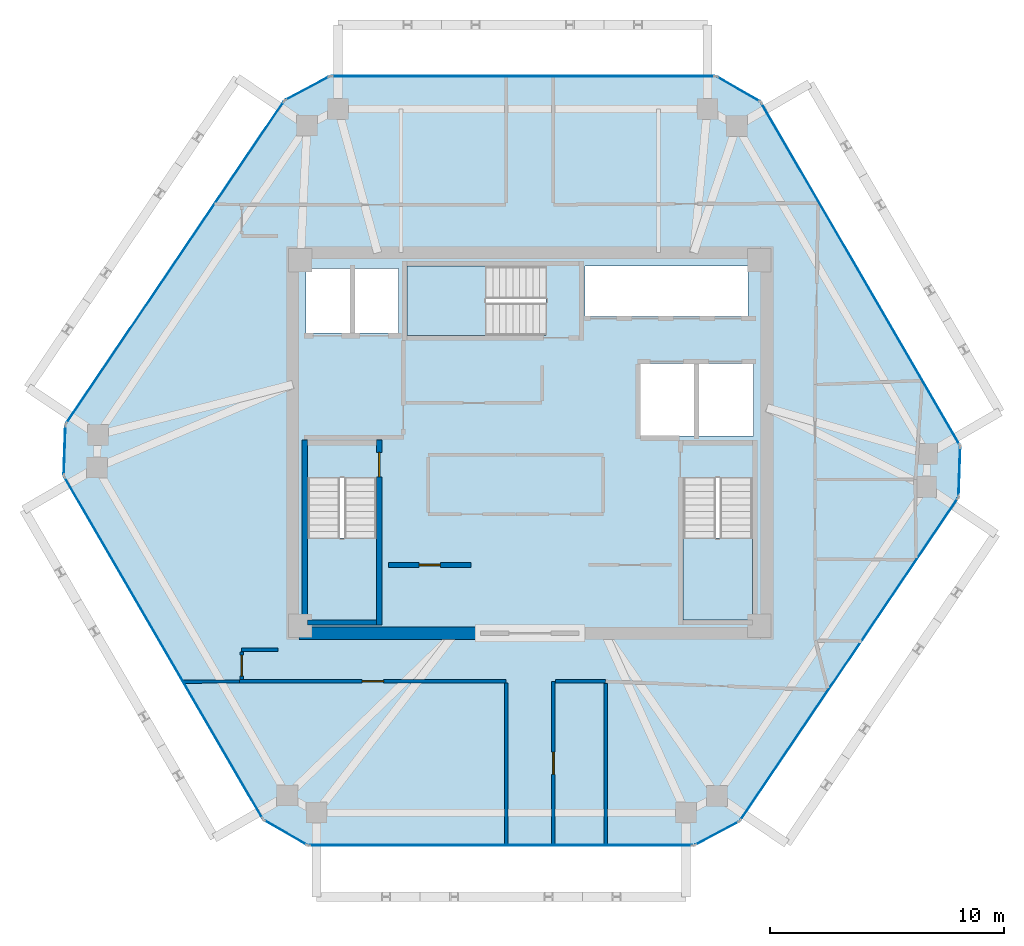
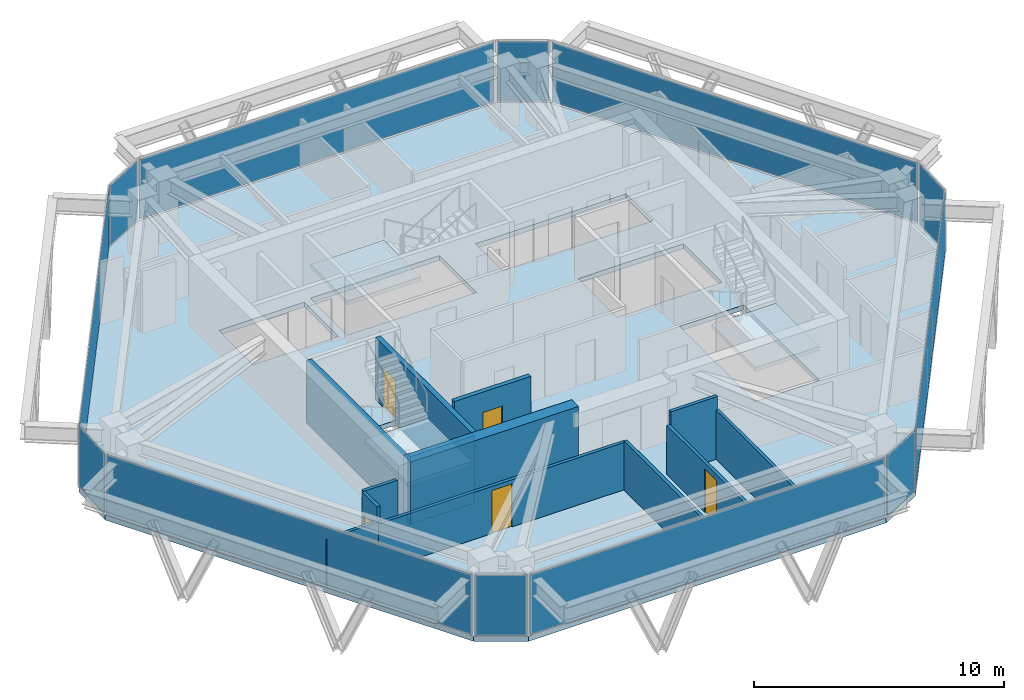
# One storey, part 7 of 11: 13 walls, 12 plates, 5 doors, 4 slabs, 5 openings, 15 elements without a shape of their own.
"""IFC4 building model written with IfcOpenShell, lengths in metres."""

from ifc_helpers import new_model, si_unit, direction, frame, frame_2d, origin, origin_2d, place, context, subcontext, project, spatial, polyline, rectangle, outline, extrude, source, transform, mapped, material, layer, layer_set, type_object, type_shapes, element, fill, aggregate, save


model = new_model("IFC4")

# Units and contexts
model_context = context("Model", 3, precision=1e-05, world=origin(), true_north=direction((0.0, 1.0)))
body_context = subcontext(model_context, "Body", "Model", "MODEL_VIEW")
ifc_project = project(units=[si_unit("LENGTHUNIT", "METRE"), si_unit("AREAUNIT", "SQUARE_METRE"), si_unit("VOLUMEUNIT", "CUBIC_METRE"), si_unit("PLANEANGLEUNIT", "RADIAN"), si_unit("MASSUNIT", "GRAM", prefix="KILO")], contexts=[model_context])

# Site, building, storey
site_placement = place(None, origin())
site = spatial("IfcSite", under=ifc_project, at=site_placement, CompositionType="ELEMENT")
building_placement = place(site_placement, origin())
building = spatial("IfcBuilding", under=site, at=building_placement, Name="Durnholm Broadcast Tower", CompositionType="ELEMENT")
storey_placement = place(building_placement, frame((0.0, 0.0, 224.89990234375)))
storey = spatial("IfcBuildingStorey", under=building, at=storey_placement, Name="L62", CompositionType="ELEMENT", Elevation=224.89990234375)

# Slab
ifc_material_1 = material(Name="Concrete C50/60", Category="concrete")
ifc_layer_1 = layer(ifc_material_1, 0.239990234375)
ifc_layer_set_1 = layer_set([ifc_layer_1], Name="Concrete C50/60")
slab_type_1 = type_object("IfcSlabType", Name="SLAB-FLR-240", PredefinedType="FLOOR", material=ifc_layer_set_1)
slab_1_placement = place(storey_placement, frame((0.0, 0.0, -0.239990234375)))
element("IfcSlab", 1, at=slab_1_placement, inside=storey, type_object=slab_type_1, Name="L62 structural floor slab", PredefinedType="FLOOR", context=body_context, shape_type="SweptSolid", body=[
    extrude(outline(polyline([(-11.384521484375, -16.088134765625), (-9.47802734375, -17.18603515625), (7.012451171875, -17.18603515625), (8.955322265625, -16.154296875), (18.307861328125, -2.3203125), (18.38330078125, -0.12158203125), (9.8603515625, 14.564208984375), (7.9541015625, 15.662109375), (-8.536376953125, 15.662109375), (-10.4794921875, 14.630126953125), (-19.831787109375, 0.79638671875), (-19.9072265625, -1.40234375), (-11.384521484375, -16.088134765625)]), holes=[polyline([(-6.5400390625, -1.5), (-9.5, -1.5), (-9.5, -7.550048828125), (-6.5400390625, -7.550048828125), (-6.5400390625, -1.5)]), polyline([(9.5, -7.550048828125), (9.5, -1.5), (6.5400390625, -1.5), (6.5400390625, -7.550048828125), (9.5, -7.550048828125)]), polyline([(9.550048828125, 3.39990234375), (4.699951171875, 3.39990234375), (4.699951171875, 0.300048828125), (9.550048828125, 0.300048828125), (9.550048828125, 3.39990234375)]), polyline([(-9.550048828125, 7.449951171875), (-9.550048828125, 4.699951171875), (-5.60009765625, 4.699951171875), (-5.60009765625, 7.449951171875), (-9.550048828125, 7.449951171875)]), polyline([(-5.25, 4.60009765625), (0.699951171875, 4.60009765625), (0.699951171875, 7.56005859375), (-5.25, 7.56005859375), (-5.25, 4.60009765625)]), polyline([(9.31005859375, 7.550048828125), (2.35009765625, 7.550048828125), (2.35009765625, 5.39990234375), (9.31005859375, 5.39990234375), (9.31005859375, 7.550048828125)])]), origin(), (0.0, 0.0, 1.0), 0.239990234375),
])

# Stair, slab
stair_type = type_object("IfcStairType", Name="STAIR-DL-20R1650", PredefinedType="HALF_TURN_STAIR", material=ifc_material_1)
stair_1_placement = place(storey_placement, origin())
stair_1 = element("IfcStair", 2, at=stair_1_placement, inside=storey, type_object=stair_type, Name="L62 ST-1", PredefinedType="HALF_TURN_STAIR")
ifc_layer_2 = layer(ifc_material_1, 0.199951171875)
ifc_layer_set_2 = layer_set([ifc_layer_2], Name="Concrete C50/60")
slab_type_2 = type_object("IfcSlabType", Name="SLAB-LND-200", PredefinedType="LANDING", material=ifc_layer_set_2)
slab_2_placement = place(storey_placement, frame((0.0, 0.0, 1.4501953125)))
slab_2 = element("IfcSlab", 3, at=slab_2_placement, type_object=slab_type_2, Name="ST-1 landing 1", PredefinedType="LANDING", context=body_context, shape_type="SweptSolid", body=[
    extrude(outline(polyline([(-9.5, -4.06494140625), (-9.5, -7.550048828125), (-6.5400390625, -7.550048828125), (-6.5400390625, -4.06494140625), (-9.5, -4.06494140625)])), origin(), (0.0, 0.0, 1.0), 0.199951171875),
])
aggregate(stair_1, [slab_2])

stair_2_placement = place(storey_placement, origin())
stair_2 = element("IfcStair", 4, at=stair_2_placement, inside=storey, type_object=stair_type, Name="L62 ST-2", PredefinedType="HALF_TURN_STAIR")
slab_3_placement = place(storey_placement, frame((0.0, 0.0, 1.4501953125)))
slab_3 = element("IfcSlab", 5, at=slab_3_placement, type_object=slab_type_2, Name="ST-2 landing 1", PredefinedType="LANDING", context=body_context, shape_type="SweptSolid", body=[
    extrude(outline(polyline([(6.5400390625, -4.06494140625), (6.5400390625, -7.550048828125), (9.5, -7.550048828125), (9.5, -4.06494140625), (6.5400390625, -4.06494140625)])), origin(), (0.0, 0.0, 1.0), 0.199951171875),
])
aggregate(stair_2, [slab_3])

stair_3_placement = place(storey_placement, origin())
stair_3 = element("IfcStair", 6, at=stair_3_placement, inside=storey, type_object=stair_type, Name="L62 ST-3", PredefinedType="HALF_TURN_STAIR")
slab_4_placement = place(storey_placement, frame((0.0, 0.0, 1.4501953125)))
slab_4 = element("IfcSlab", 7, at=slab_4_placement, type_object=slab_type_2, Name="ST-3 landing 1", PredefinedType="LANDING", context=body_context, shape_type="SweptSolid", body=[
    extrude(outline(polyline([(-1.864990234375, 7.56005859375), (-5.25, 7.56005859375), (-5.25, 4.60009765625), (-1.864990234375, 4.60009765625), (-1.864990234375, 7.56005859375)])), origin(), (0.0, 0.0, 1.0), 0.199951171875),
])
aggregate(stair_3, [slab_4])

# Curtain wall, plate
ifc_material_2 = material(Name="Aluminium and Solar Control IGU", Category="aluminium")
ifc_layer_3 = layer(ifc_material_2, 0.1650390625)
ifc_layer_set_3 = layer_set([ifc_layer_3], Name="Aluminium and Solar Control IGU")
curtain_wall_type_1 = type_object("IfcCurtainWallType", Name="CW-SYS-5", PredefinedType="NOTDEFINED", material=ifc_layer_set_3)
curtain_wall_1_placement = place(storey_placement, origin())
curtain_wall_1 = element("IfcCurtainWall", 8, at=curtain_wall_1_placement, inside=storey, type_object=curtain_wall_type_1, Name="L62 curtain wall CW-CORNER CW-L62-CRN-01", PredefinedType="NOTDEFINED")
ifc_material_3 = material(Name="Low-E Laminated Insulating Glass", Category="glass")
ifc_layer_4 = layer(ifc_material_3, 0.030029296875)
ifc_layer_set_4 = layer_set([ifc_layer_4], Name="Low-E Laminated Insulating Glass")
plate_type_1 = type_object("IfcPlateType", Name="CW-SYS-5-PNL", PredefinedType="CURTAIN_PANEL", material=ifc_layer_set_4)
shared_shape_1 = source(origin(), body_context, "Body", "SweptSolid", [
    extrude(rectangle(XDim=2.070068359375, YDim=0.030029296875, at=origin_2d()), origin(), (0.0, 0.0, 1.0), 2.929931640625),
])
plate_1_placement = place(storey_placement, frame((-19.86962890625, -0.302978515625, 0.06494140625), z_axis=(0.0, 0.0, 1.0), x_axis=(0.034318245849, 0.999410955514, 0.0)))
plate_1 = element("IfcPlate", 9, at=plate_1_placement, type_object=plate_type_1, Name="CW-CORNER panel 1.1", PredefinedType="CURTAIN_PANEL", context=body_context, shape_type="MappedRepresentation", body=[
    mapped(shared_shape_1, transform((0.0, 0.0, 0.0), x_axis=(1.0, 0.0, 0.0), y_axis=(0.0, 1.0, 0.0), z_axis=(0.0, 0.0, 1.0), scale=1.0)),
])
aggregate(curtain_wall_1, [plate_1])

curtain_wall_2_placement = place(storey_placement, origin())
curtain_wall_2 = element("IfcCurtainWall", 10, at=curtain_wall_2_placement, inside=storey, type_object=curtain_wall_type_1, Name="L62 curtain wall CW-CORNER CW-L62-CRN-03", PredefinedType="NOTDEFINED")
plate_2_placement = place(storey_placement, frame((-9.5078125, 15.14599609375, 0.06494140625), z_axis=(0.0, 0.0, 1.0), x_axis=(0.883194569853, 0.469006771575, 0.0)))
plate_2 = element("IfcPlate", 11, at=plate_2_placement, type_object=plate_type_1, Name="CW-CORNER panel 1.1", PredefinedType="CURTAIN_PANEL", context=body_context, shape_type="MappedRepresentation", body=[
    mapped(shared_shape_1, transform((0.0, 0.0, 0.0), x_axis=(1.0, 0.0, 0.0), y_axis=(0.0, 1.0, 0.0), z_axis=(0.0, 0.0, 1.0), scale=1.0)),
])
aggregate(curtain_wall_2, [plate_2])

curtain_wall_3_placement = place(storey_placement, origin())
curtain_wall_3 = element("IfcCurtainWall", 12, at=curtain_wall_3_placement, inside=storey, type_object=curtain_wall_type_1, Name="L62 curtain wall CW-CORNER CW-L62-CRN-07", PredefinedType="NOTDEFINED")
plate_3_placement = place(storey_placement, frame((18.345458984375, -1.220947265625, 0.06494140625), z_axis=(0.0, 0.0, 1.0), x_axis=(-0.034318245849, -0.999410955514, 0.0)))
plate_3 = element("IfcPlate", 13, at=plate_3_placement, type_object=plate_type_1, Name="CW-CORNER panel 1.1", PredefinedType="CURTAIN_PANEL", context=body_context, shape_type="MappedRepresentation", body=[
    mapped(shared_shape_1, transform((0.0, 0.0, 0.0), x_axis=(1.0, 0.0, 0.0), y_axis=(0.0, 1.0, 0.0), z_axis=(0.0, 0.0, 1.0), scale=1.0)),
])
aggregate(curtain_wall_3, [plate_3])

curtain_wall_4_placement = place(storey_placement, origin())
curtain_wall_4 = element("IfcCurtainWall", 14, at=curtain_wall_4_placement, inside=storey, type_object=curtain_wall_type_1, Name="L62 curtain wall CW-CORNER CW-L62-CRN-09", PredefinedType="NOTDEFINED")
plate_4_placement = place(storey_placement, frame((7.98388671875, -16.670166015625, 0.06494140625), z_axis=(0.0, 0.0, 1.0), x_axis=(-0.883194569853, -0.469006771575, 0.0)))
plate_4 = element("IfcPlate", 15, at=plate_4_placement, type_object=plate_type_1, Name="CW-CORNER panel 1.1", PredefinedType="CURTAIN_PANEL", context=body_context, shape_type="MappedRepresentation", body=[
    mapped(shared_shape_1, transform((0.0, 0.0, 0.0), x_axis=(1.0, 0.0, 0.0), y_axis=(0.0, 1.0, 0.0), z_axis=(0.0, 0.0, 1.0), scale=1.0)),
])
aggregate(curtain_wall_4, [plate_4])

ifc_layer_5 = layer(ifc_material_2, 0.18994140625)
ifc_layer_set_5 = layer_set([ifc_layer_5], Name="Aluminium and Solar Control IGU")
curtain_wall_type_2 = type_object("IfcCurtainWallType", Name="CW-SYS-4", PredefinedType="NOTDEFINED", material=ifc_layer_set_5)
curtain_wall_5_placement = place(storey_placement, origin())
curtain_wall_5 = element("IfcCurtainWall", 16, at=curtain_wall_5_placement, inside=storey, type_object=curtain_wall_type_2, Name="L62 curtain wall CW-Z34-VIS CW-L62-F02", PredefinedType="NOTDEFINED")
ifc_layer_6 = layer(ifc_material_3, 0.033935546875)
ifc_layer_set_6 = layer_set([ifc_layer_6], Name="Low-E Laminated Insulating Glass")
plate_type_2 = type_object("IfcPlateType", Name="CW-SYS-4-PNL", PredefinedType="CURTAIN_PANEL", material=ifc_layer_set_6)
shared_shape_2 = source(origin(), body_context, "Body", "SweptSolid", [
    extrude(rectangle(XDim=16.55859375, YDim=0.033935546875, at=origin_2d()), origin(), (0.0, 0.0, 1.0), 2.919921875),
])
plate_5_placement = place(storey_placement, frame((-15.155517578125, 7.71337890625, 0.070068359375), z_axis=(0.0, 0.0, 1.0), x_axis=(0.560072745753, 0.828443431662, 0.0)))
plate_5 = element("IfcPlate", 17, at=plate_5_placement, type_object=plate_type_2, Name="CW-Z34-VIS panel 1.1", PredefinedType="CURTAIN_PANEL", context=body_context, shape_type="MappedRepresentation", body=[
    mapped(shared_shape_2, transform((0.0, 0.0, 0.0), x_axis=(1.0, 0.0, 0.0), y_axis=(0.0, 1.0, 0.0), z_axis=(0.0, 0.0, 1.0), scale=1.0)),
])
aggregate(curtain_wall_5, [plate_5])

curtain_wall_6_placement = place(storey_placement, origin())
curtain_wall_6 = element("IfcCurtainWall", 18, at=curtain_wall_6_placement, inside=storey, type_object=curtain_wall_type_2, Name="L62 curtain wall CW-Z34-VIS CW-L62-F08", PredefinedType="NOTDEFINED")
plate_6_placement = place(storey_placement, frame((13.631591796875, -9.2373046875, 0.070068359375), z_axis=(0.0, 0.0, 1.0), x_axis=(-0.560072745753, -0.828443431662, 0.0)))
plate_6 = element("IfcPlate", 19, at=plate_6_placement, type_object=plate_type_2, Name="CW-Z34-VIS panel 1.1", PredefinedType="CURTAIN_PANEL", context=body_context, shape_type="MappedRepresentation", body=[
    mapped(shared_shape_2, transform((0.0, 0.0, 0.0), x_axis=(1.0, 0.0, 0.0), y_axis=(0.0, 1.0, 0.0), z_axis=(0.0, 0.0, 1.0), scale=1.0)),
])
aggregate(curtain_wall_6, [plate_6])

curtain_wall_7_placement = place(storey_placement, origin())
curtain_wall_7 = element("IfcCurtainWall", 20, at=curtain_wall_7_placement, inside=storey, type_object=curtain_wall_type_2, Name="L62 curtain wall CW-Z34-VIS CW-L62-F04", PredefinedType="NOTDEFINED")
shared_shape_3 = source(origin(), body_context, "Body", "SweptSolid", [
    extrude(rectangle(XDim=16.350341796875, YDim=0.033935546875, at=origin_2d()), origin(), (0.0, 0.0, 1.0), 2.919921875),
])
plate_7_placement = place(storey_placement, frame((-0.291259765625, 15.662109375, 0.070068359375), z_axis=(0.0, 0.0, 1.0), x_axis=(1.0, 0.0, 0.0)))
plate_7 = element("IfcPlate", 21, at=plate_7_placement, type_object=plate_type_2, Name="CW-Z34-VIS panel 1.1", PredefinedType="CURTAIN_PANEL", context=body_context, shape_type="MappedRepresentation", body=[
    mapped(shared_shape_3, transform((0.0, 0.0, 0.0), x_axis=(1.0, 0.0, 0.0), y_axis=(0.0, 1.0, 0.0), z_axis=(0.0, 0.0, 1.0), scale=1.0)),
])
aggregate(curtain_wall_7, [plate_7])

curtain_wall_8_placement = place(storey_placement, origin())
curtain_wall_8 = element("IfcCurtainWall", 22, at=curtain_wall_8_placement, inside=storey, type_object=curtain_wall_type_2, Name="L62 curtain wall CW-Z34-VIS CW-L62-F10", PredefinedType="NOTDEFINED")
plate_8_placement = place(storey_placement, frame((-1.23291015625, -17.18603515625, 0.070068359375), z_axis=(0.0, 0.0, 1.0), x_axis=(-1.0, 0.0, 0.0)))
plate_8 = element("IfcPlate", 23, at=plate_8_placement, type_object=plate_type_2, Name="CW-Z34-VIS panel 1.1", PredefinedType="CURTAIN_PANEL", context=body_context, shape_type="MappedRepresentation", body=[
    mapped(shared_shape_3, transform((0.0, 0.0, 0.0), x_axis=(1.0, 0.0, 0.0), y_axis=(0.0, 1.0, 0.0), z_axis=(0.0, 0.0, 1.0), scale=1.0)),
])
aggregate(curtain_wall_8, [plate_8])

curtain_wall_9_placement = place(storey_placement, origin())
curtain_wall_9 = element("IfcCurtainWall", 24, at=curtain_wall_9_placement, inside=storey, type_object=curtain_wall_type_1, Name="L62 curtain wall CW-CORNER CW-L62-CRN-05", PredefinedType="NOTDEFINED")
shared_shape_4 = source(origin(), body_context, "Body", "SweptSolid", [
    extrude(rectangle(XDim=2.06982421875, YDim=0.030029296875, at=origin_2d()), origin(), (0.0, 0.0, 1.0), 2.929931640625),
])
type_shapes(plate_type_1, [shared_shape_1, shared_shape_4])
plate_9_placement = place(storey_placement, frame((8.9072265625, 15.113037109375, 0.06494140625), z_axis=(0.0, 0.0, 1.0), x_axis=(0.866568249707, -0.499058582333, 0.0)))
plate_9 = element("IfcPlate", 25, at=plate_9_placement, type_object=plate_type_1, Name="CW-CORNER panel 1.1", PredefinedType="CURTAIN_PANEL", context=body_context, shape_type="MappedRepresentation", body=[
    mapped(shared_shape_4, transform((0.0, 0.0, 0.0), x_axis=(1.0, 0.0, 0.0), y_axis=(0.0, 1.0, 0.0), z_axis=(0.0, 0.0, 1.0), scale=1.0)),
])
aggregate(curtain_wall_9, [plate_9])

curtain_wall_10_placement = place(storey_placement, origin())
curtain_wall_10 = element("IfcCurtainWall", 26, at=curtain_wall_10_placement, inside=storey, type_object=curtain_wall_type_1, Name="L62 curtain wall CW-CORNER CW-L62-CRN-11", PredefinedType="NOTDEFINED")
plate_10_placement = place(storey_placement, frame((-10.43115234375, -16.636962890625, 0.06494140625), z_axis=(0.0, 0.0, 1.0), x_axis=(-0.866568249707, 0.499058582333, 0.0)))
plate_10 = element("IfcPlate", 27, at=plate_10_placement, type_object=plate_type_1, Name="CW-CORNER panel 1.1", PredefinedType="CURTAIN_PANEL", context=body_context, shape_type="MappedRepresentation", body=[
    mapped(shared_shape_4, transform((0.0, 0.0, 0.0), x_axis=(1.0, 0.0, 0.0), y_axis=(0.0, 1.0, 0.0), z_axis=(0.0, 0.0, 1.0), scale=1.0)),
])
aggregate(curtain_wall_10, [plate_10])

curtain_wall_11_placement = place(storey_placement, origin())
curtain_wall_11 = element("IfcCurtainWall", 28, at=curtain_wall_11_placement, inside=storey, type_object=curtain_wall_type_2, Name="L62 curtain wall CW-Z34-VIS CW-L62-F06", PredefinedType="NOTDEFINED")
shared_shape_5 = source(origin(), body_context, "Body", "SweptSolid", [
    extrude(rectangle(XDim=16.83984375, YDim=0.033935546875, at=origin_2d()), origin(), (0.0, 0.0, 1.0), 2.919921875),
])
type_shapes(plate_type_2, [shared_shape_2, shared_shape_3, shared_shape_5])
plate_11_placement = place(storey_placement, frame((14.121826171875, 7.22119140625, 0.070068359375), z_axis=(0.0, 0.0, 1.0), x_axis=(0.50194441023, -0.864899883824, 0.0)))
plate_11 = element("IfcPlate", 29, at=plate_11_placement, type_object=plate_type_2, Name="CW-Z34-VIS panel 1.1", PredefinedType="CURTAIN_PANEL", context=body_context, shape_type="MappedRepresentation", body=[
    mapped(shared_shape_5, transform((0.0, 0.0, 0.0), x_axis=(1.0, 0.0, 0.0), y_axis=(0.0, 1.0, 0.0), z_axis=(0.0, 0.0, 1.0), scale=1.0)),
])
aggregate(curtain_wall_11, [plate_11])

curtain_wall_12_placement = place(storey_placement, origin())
curtain_wall_12 = element("IfcCurtainWall", 30, at=curtain_wall_12_placement, inside=storey, type_object=curtain_wall_type_2, Name="L62 curtain wall CW-Z34-VIS CW-L62-F12", PredefinedType="NOTDEFINED")
plate_12_placement = place(storey_placement, frame((-15.645751953125, -8.7451171875, 0.070068359375), z_axis=(0.0, 0.0, 1.0), x_axis=(-0.50194441023, 0.864899883824, 0.0)))
plate_12 = element("IfcPlate", 31, at=plate_12_placement, type_object=plate_type_2, Name="CW-Z34-VIS panel 1.1", PredefinedType="CURTAIN_PANEL", context=body_context, shape_type="MappedRepresentation", body=[
    mapped(shared_shape_5, transform((0.0, 0.0, 0.0), x_axis=(1.0, 0.0, 0.0), y_axis=(0.0, 1.0, 0.0), z_axis=(0.0, 0.0, 1.0), scale=1.0)),
])
aggregate(curtain_wall_12, [plate_12])

# Wall
ifc_material_4 = material(Name="Concrete C70/85", Category="concrete")
ifc_layer_7 = layer(ifc_material_4, 0.550048828125)
ifc_layer_set_7 = layer_set([ifc_layer_7], Name="Concrete C70/85")
wall_type_1 = type_object("IfcWallType", Name="WALL-CW-550", PredefinedType="SHEAR", material=ifc_layer_set_7)
wall_1_placement = place(storey_placement, frame((-9.85009765625, -8.125, 0.0), z_axis=(0.0, 0.0, 1.0), x_axis=(1.0, 0.0, 0.0)))
element("IfcWall", 32, at=wall_1_placement, inside=storey, type_object=wall_type_1, Name="L62 central core shear wall CW-S1", PredefinedType="SHEAR", context=body_context, shape_type="SweptSolid", body=[
    extrude(rectangle(XDim=7.75, YDim=0.550048828125, at=frame_2d((3.875, 0.0))), origin(), (0.0, 0.0, 1.0), 3.300048828125),
])

# Wall, opening, door
ifc_material_5 = material(Name="Fire-Rated Gypsum Shaftwall", Category="concrete")
ifc_layer_8 = layer(ifc_material_5, 0.199951171875)
ifc_layer_set_8 = layer_set([ifc_layer_8], Name="Fire-Rated Gypsum Shaftwall")
wall_type_2 = type_object("IfcWallType", Name="WALL-LOB-200", PredefinedType="SOLIDWALL", material=ifc_layer_set_8)
wall_2_placement = place(storey_placement, frame((-6.0400390625, -5.2099609375, 0.0), z_axis=(0.0, 0.0, 1.0), x_axis=(1.0, 0.0, 0.0)))
wall_2 = element("IfcWall", 33, at=wall_2_placement, inside=storey, type_object=wall_type_2, Name="L62 Broadcast Signal Rack Room corridor partition", PredefinedType="SOLIDWALL", context=body_context, shape_type="SweptSolid", body=[
    extrude(rectangle(XDim=3.530029296875, YDim=0.199951171875, at=frame_2d((1.76513671875, 0.0))), origin(), (0.0, 0.0, 1.0), 3.045166015625),
])
opening_1_placement = place(wall_2_placement, frame((1.31494140625, 0.0, 0.0)))
opening_1 = element("IfcOpeningElement", 34, at=opening_1_placement, cuts=wall_2, Name="Opening DC-60L", PredefinedType="OPENING", context=body_context, shape_type="SweptSolid", body=[
    extrude(rectangle(XDim=0.89990234375, YDim=2.050048828125, at=frame_2d((0.449951171875, 1.02490234375))), frame((0.0, 0.10986328125, 0.0), z_axis=(0.0, -1.0, 0.0), x_axis=(1.0, 0.0, 0.0)), (0.0, 0.0, 1.0), 0.219970703125),
])
ifc_material_6 = material(Name="Fire-Rated Core Service Door", Category="steel")
ifc_layer_9 = layer(ifc_material_6, 0.050048828125)
ifc_layer_set_9 = layer_set([ifc_layer_9], Name="Fire-Rated Core Service Door")
door_type_1 = type_object("IfcDoorType", Name="DOOR-CORE-FD60-L", OperationType="NOTDEFINED", PredefinedType="DOOR", material=ifc_layer_set_9)
shared_shape_6 = source(origin(), body_context, "Body", "SweptSolid", [
    extrude(rectangle(XDim=0.89990234375, YDim=2.050048828125, at=frame_2d((0.449951171875, 1.02490234375))), frame((0.0, 0.02490234375, 0.0), z_axis=(0.0, -1.0, 0.0), x_axis=(1.0, 0.0, 0.0)), (0.0, 0.0, 1.0), 0.050048828125),
])
type_shapes(door_type_1, [shared_shape_6])
door_1_placement = place(opening_1_placement, origin())
door_1 = element("IfcDoor", 35, at=door_1_placement, inside=storey, type_object=door_type_1, Name="L62 Broadcast Signal Rack Room entrance door", OperationType="SINGLE_SWING_LEFT", OverallHeight=2.050048828125, OverallWidth=0.89990234375, PredefinedType="DOOR", context=body_context, shape_type="MappedRepresentation", body=[
    mapped(shared_shape_6, transform((0.0, 0.0, 0.0), x_axis=(1.0, 0.0, 0.0), y_axis=(0.0, 1.0, 0.0), z_axis=(0.0, 0.0, 1.0), scale=1.0)),
])
fill(opening_1, door_1)

# Walls
ifc_material_7 = material(Name="Gypsum Metal Stud Partition", Category="concrete")
ifc_layer_10 = layer(ifc_material_7, 0.135009765625)
ifc_layer_set_10 = layer_set([ifc_layer_10], Name="Gypsum Metal Stud Partition")
wall_type_3 = type_object("IfcWallType", Name="WALL-PART-135", PredefinedType="PARTITIONING", material=ifc_layer_set_10)
wall_3_placement = place(storey_placement, frame((-14.801513671875, -10.199951171875, 0.0), z_axis=(0.0, 0.0, 1.0), x_axis=(0.999968020968, 0.007997314604, 0.0)))
element("IfcWall", 36, at=wall_3_placement, inside=storey, type_object=wall_type_3, Name="L62 room dividing partition 11.14", PredefinedType="PARTITIONING", context=body_context, shape_type="SweptSolid", body=[
    extrude(rectangle(XDim=2.41162109375, YDim=0.135009765625, at=frame_2d((1.205810546875, 0.0))), origin(), (0.0, 0.0, 1.0), 2.39892578125),
])
wall_4_placement = place(storey_placement, frame((3.239990234375, -10.26220703125, 0.0), z_axis=(0.0, 0.0, 1.0), x_axis=(0.0, -1.0, 0.0)))
element("IfcWall", 37, at=wall_4_placement, inside=storey, type_object=wall_type_3, Name="L62 room dividing partition 12.13", PredefinedType="PARTITIONING", context=body_context, shape_type="SweptSolid", body=[
    extrude(rectangle(XDim=6.923828125, YDim=0.135009765625, at=frame_2d((3.4619140625, 0.0))), origin(), (0.0, 0.0, 1.0), 2.39892578125),
])

# Wall, opening, door
ifc_material_8 = material(Name="Acoustic Gypsum Stud Partition", Category="concrete")
ifc_layer_11 = layer(ifc_material_8, 0.14990234375)
ifc_layer_set_11 = layer_set([ifc_layer_11], Name="Acoustic Gypsum Stud Partition")
wall_type_4 = type_object("IfcWallType", Name="WALL-PART-150", PredefinedType="PARTITIONING", material=ifc_layer_set_11)
wall_5_placement = place(storey_placement, frame((-12.389892578125, -10.179931640625, 0.0), z_axis=(0.0, 0.0, 1.0), x_axis=(1.0, 0.0, 0.0)))
wall_5 = element("IfcWall", 38, at=wall_5_placement, inside=storey, type_object=wall_type_4, Name="L62 Diplomatic Dining Room corridor partition", PredefinedType="PARTITIONING", context=body_context, shape_type="SweptSolid", body=[
    extrude(rectangle(XDim=11.3798828125, YDim=0.14990234375, at=frame_2d((5.68994140625, 0.0))), origin(), (0.0, 0.0, 1.0), 2.301513671875),
])
opening_2_placement = place(wall_5_placement, frame((5.22998046875, 0.0, 0.0)))
opening_2 = element("IfcOpeningElement", 39, at=opening_2_placement, cuts=wall_5, Name="Opening DR-92L", PredefinedType="OPENING", context=body_context, shape_type="SweptSolid", body=[
    extrude(rectangle(XDim=0.919921875, YDim=2.10009765625, at=frame_2d((0.4599609375, 1.050048828125))), frame((0.0, 0.0849609375, 0.0), z_axis=(0.0, -1.0, 0.0), x_axis=(1.0, 0.0, 0.0)), (0.0, 0.0, 1.0), 0.169921875),
])
ifc_material_9 = material(Name="Oak Veneer Office Door", Category="wood")
ifc_layer_12 = layer(ifc_material_9, 0.050048828125)
ifc_layer_set_12 = layer_set([ifc_layer_12], Name="Oak Veneer Office Door")
door_type_2 = type_object("IfcDoorType", Name="DOOR-RM-920L", OperationType="NOTDEFINED", PredefinedType="DOOR", material=ifc_layer_set_12)
shared_shape_7 = source(origin(), body_context, "Body", "SweptSolid", [
    extrude(rectangle(XDim=0.919921875, YDim=2.10009765625, at=frame_2d((0.4599609375, 1.050048828125))), frame((0.0, 0.02490234375, 0.0), z_axis=(0.0, -1.0, 0.0), x_axis=(1.0, 0.0, 0.0)), (0.0, 0.0, 1.0), 0.050048828125),
])
type_shapes(door_type_2, [shared_shape_7])
door_2_placement = place(opening_2_placement, origin())
door_2 = element("IfcDoor", 40, at=door_2_placement, inside=storey, type_object=door_type_2, Name="L62 Diplomatic Dining Room entrance door", OperationType="SINGLE_SWING_LEFT", OverallHeight=2.10009765625, OverallWidth=0.919921875, PredefinedType="DOOR", context=body_context, shape_type="MappedRepresentation", body=[
    mapped(shared_shape_7, transform((0.0, 0.0, 0.0), x_axis=(1.0, 0.0, 0.0), y_axis=(0.0, 1.0, 0.0), z_axis=(0.0, 0.0, 1.0), scale=1.0)),
])
fill(opening_2, door_2)

# Wall
wall_6_placement = place(storey_placement, frame((-1.010009765625, -10.259033203125, 0.0), z_axis=(0.0, 0.0, 1.0), x_axis=(0.0, -1.0, 0.0)))
element("IfcWall", 41, at=wall_6_placement, inside=storey, type_object=wall_type_4, Name="L62 Diplomatic Dining Room corridor partition", PredefinedType="PARTITIONING", context=body_context, shape_type="SweptSolid", body=[
    extrude(rectangle(XDim=6.927001953125, YDim=0.14990234375, at=frame_2d((3.46337890625, 0.0))), origin(), (0.0, 0.0, 1.0), 2.39892578125),
])

# Wall, opening, door
wall_7_placement = place(storey_placement, frame((1.010009765625, -17.18603515625, 0.0), z_axis=(0.0, 0.0, 1.0), x_axis=(0.0, 1.0, 0.0)))
wall_7 = element("IfcWall", 42, at=wall_7_placement, inside=storey, type_object=wall_type_4, Name="L62 Executive Catering Kitchen corridor partition", PredefinedType="PARTITIONING", context=body_context, shape_type="SweptSolid", body=[
    extrude(rectangle(XDim=7.006103515625, YDim=0.14990234375, at=frame_2d((3.5029296875, 0.0))), origin(), (0.0, 0.0, 1.0), 2.39892578125),
])
opening_3_placement = place(wall_7_placement, frame((3.028076171875, 0.0, 0.0)))
opening_3 = element("IfcOpeningElement", 43, at=opening_3_placement, cuts=wall_7, Name="Opening DR-95R", PredefinedType="OPENING", context=body_context, shape_type="SweptSolid", body=[
    extrude(rectangle(XDim=0.949951171875, YDim=2.10009765625, at=frame_2d((0.47509765625, 1.050048828125))), frame((0.0, 0.0849609375, 0.0), z_axis=(0.0, -1.0, 0.0), x_axis=(1.0, 0.0, 0.0)), (0.0, 0.0, 1.0), 0.169921875),
])
ifc_material_10 = material(Name="Acoustic Oak Veneer Timber Door", Category="wood")
ifc_layer_13 = layer(ifc_material_10, 0.050048828125)
ifc_layer_set_13 = layer_set([ifc_layer_13], Name="Acoustic Oak Veneer Timber Door")
door_type_3 = type_object("IfcDoorType", Name="DOOR-RM-950R", OperationType="NOTDEFINED", PredefinedType="DOOR", material=ifc_layer_set_13)
shared_shape_8 = source(origin(), body_context, "Body", "SweptSolid", [
    extrude(rectangle(XDim=0.949951171875, YDim=2.10009765625, at=frame_2d((0.47509765625, 1.050048828125))), frame((0.0, 0.02490234375, 0.0), z_axis=(0.0, -1.0, 0.0), x_axis=(1.0, 0.0, 0.0)), (0.0, 0.0, 1.0), 0.050048828125),
])
type_shapes(door_type_3, [shared_shape_8])
door_3_placement = place(opening_3_placement, origin())
door_3 = element("IfcDoor", 44, at=door_3_placement, inside=storey, type_object=door_type_3, Name="L62 Executive Catering Kitchen entrance door", OperationType="SINGLE_SWING_RIGHT", OverallHeight=2.10009765625, OverallWidth=0.949951171875, PredefinedType="DOOR", context=body_context, shape_type="MappedRepresentation", body=[
    mapped(shared_shape_8, transform((0.0, 0.0, 0.0), x_axis=(1.0, 0.0, 0.0), y_axis=(0.0, 1.0, 0.0), z_axis=(0.0, 0.0, 1.0), scale=1.0)),
])
fill(opening_3, door_3)

# Walls
wall_8_placement = place(storey_placement, frame((1.089111328125, -10.179931640625, 0.0), z_axis=(0.0, 0.0, 1.0), x_axis=(1.0, 0.0, 0.0)))
element("IfcWall", 45, at=wall_8_placement, inside=storey, type_object=wall_type_4, Name="L62 Executive Catering Kitchen corridor partition", PredefinedType="PARTITIONING", context=body_context, shape_type="SweptSolid", body=[
    extrude(rectangle(XDim=2.15087890625, YDim=0.14990234375, at=frame_2d((1.075439453125, 0.0))), origin(), (0.0, 0.0, 1.0), 3.045166015625),
])
wall_9_placement = place(storey_placement, frame((-10.760009765625, -8.840087890625, 0.0), z_axis=(0.0, 0.0, 1.0), x_axis=(-1.0, 0.0, 0.0)))
element("IfcWall", 46, at=wall_9_placement, inside=storey, type_object=wall_type_4, Name="L62 Presidential Broadcast Hall corridor partition", PredefinedType="PARTITIONING", context=body_context, shape_type="SweptSolid", body=[
    extrude(rectangle(XDim=1.550048828125, YDim=0.14990234375, at=frame_2d((0.77490234375, 0.0))), origin(), (0.0, 0.0, 1.0), 3.045166015625),
])

# Wall, opening, door
wall_10_placement = place(storey_placement, frame((-12.31005859375, -8.9189453125, 0.0), z_axis=(0.0, 0.0, 1.0), x_axis=(0.0, -1.0, 0.0)))
wall_10 = element("IfcWall", 47, at=wall_10_placement, inside=storey, type_object=wall_type_4, Name="L62 Presidential Broadcast Hall corridor partition", PredefinedType="PARTITIONING", context=body_context, shape_type="SweptSolid", body=[
    extrude(rectangle(XDim=1.18212890625, YDim=0.14990234375, at=frame_2d((0.591064453125, 0.0))), origin(), (0.0, 0.0, 1.0), 3.045166015625),
])
opening_4_placement = place(wall_10_placement, frame((0.14111328125, 0.0, 0.0)))
opening_4 = element("IfcOpeningElement", 48, at=opening_4_placement, cuts=wall_10, Name="Opening DW-90L", PredefinedType="OPENING", context=body_context, shape_type="SweptSolid", body=[
    extrude(rectangle(XDim=0.89990234375, YDim=2.050048828125, at=frame_2d((0.449951171875, 1.02490234375))), frame((0.0, 0.0849609375, 0.0), z_axis=(0.0, -1.0, 0.0), x_axis=(1.0, 0.0, 0.0)), (0.0, 0.0, 1.0), 0.169921875),
])
ifc_material_11 = material(Name="Laminate Restroom Door", Category="steel")
ifc_layer_14 = layer(ifc_material_11, 0.050048828125)
ifc_layer_set_14 = layer_set([ifc_layer_14], Name="Laminate Restroom Door")
door_type_4 = type_object("IfcDoorType", Name="DOOR-WC-900L", OperationType="NOTDEFINED", PredefinedType="DOOR", material=ifc_layer_set_14)
shared_shape_9 = source(origin(), body_context, "Body", "SweptSolid", [
    extrude(rectangle(XDim=0.89990234375, YDim=2.050048828125, at=frame_2d((0.449951171875, 1.02490234375))), frame((0.0, 0.02490234375, 0.0), z_axis=(0.0, -1.0, 0.0), x_axis=(1.0, 0.0, 0.0)), (0.0, 0.0, 1.0), 0.050048828125),
])
type_shapes(door_type_4, [shared_shape_9])
door_4_placement = place(opening_4_placement, origin())
door_4 = element("IfcDoor", 49, at=door_4_placement, inside=storey, type_object=door_type_4, Name="L62 Presidential Broadcast Hall entrance door", OperationType="SINGLE_SWING_LEFT", OverallHeight=2.050048828125, OverallWidth=0.89990234375, PredefinedType="DOOR", context=body_context, shape_type="MappedRepresentation", body=[
    mapped(shared_shape_9, transform((0.0, 0.0, 0.0), x_axis=(1.0, 0.0, 0.0), y_axis=(0.0, 1.0, 0.0), z_axis=(0.0, 0.0, 1.0), scale=1.0)),
])
fill(opening_4, door_4)

ifc_layer_15 = layer(ifc_material_1, 0.219970703125)
ifc_layer_set_15 = layer_set([ifc_layer_15], Name="Concrete C50/60")
wall_type_5 = type_object("IfcWallType", Name="WALL-SW-220", PredefinedType="SHEAR", material=ifc_layer_set_15)
wall_11_placement = place(storey_placement, frame((-6.429931640625, -7.77001953125, -0.239990234375), z_axis=(0.0, 0.0, 1.0), x_axis=(0.0, 1.0, 0.0)))
wall_11 = element("IfcWall", 50, at=wall_11_placement, inside=storey, type_object=wall_type_5, Name="L62 stair ST-1 structural shaft wall E", PredefinedType="SHEAR", context=body_context, shape_type="SweptSolid", body=[
    extrude(rectangle(XDim=7.89013671875, YDim=0.219970703125, at=frame_2d((3.945068359375, 0.0))), origin(), (0.0, 0.0, 1.0), 3.300048828125),
])
opening_5_placement = place(wall_11_placement, frame((6.320068359375, 0.0, 0.0)))
opening_5 = element("IfcOpeningElement", 51, at=opening_5_placement, cuts=wall_11, Name="Opening DS-90L", PredefinedType="OPENING", context=body_context, shape_type="SweptSolid", body=[
    extrude(rectangle(XDim=1.050048828125, YDim=2.14990234375, at=frame_2d((0.52490234375, 1.074951171875))), frame((0.0, 0.1201171875, 0.0), z_axis=(0.0, -1.0, 0.0), x_axis=(1.0, 0.0, 0.0)), (0.0, 0.0, 1.0), 0.239990234375),
])
ifc_material_12 = material(Name="Fire-Rated Steel Door", Category="steel")
ifc_layer_16 = layer(ifc_material_12, 0.050048828125)
ifc_layer_set_16 = layer_set([ifc_layer_16], Name="Fire-Rated Steel Door")
door_type_5 = type_object("IfcDoorType", Name="DOOR-ST-FD90-L", OperationType="NOTDEFINED", PredefinedType="DOOR", material=ifc_layer_set_16)
shared_shape_10 = source(origin(), body_context, "Body", "SweptSolid", [
    extrude(rectangle(XDim=1.050048828125, YDim=2.14990234375, at=frame_2d((0.52490234375, 1.074951171875))), frame((0.0, 0.02490234375, 0.0), z_axis=(0.0, -1.0, 0.0), x_axis=(1.0, 0.0, 0.0)), (0.0, 0.0, 1.0), 0.050048828125),
])
type_shapes(door_type_5, [shared_shape_10])
door_5_placement = place(opening_5_placement, origin())
door_5 = element("IfcDoor", 52, at=door_5_placement, inside=storey, type_object=door_type_5, Name="L62 exit stair ST-1 fire door", OperationType="SINGLE_SWING_LEFT", OverallHeight=2.14990234375, OverallWidth=1.050048828125, PredefinedType="DOOR", context=body_context, shape_type="MappedRepresentation", body=[
    mapped(shared_shape_10, transform((0.0, 0.0, 0.0), x_axis=(1.0, 0.0, 0.0), y_axis=(0.0, 1.0, 0.0), z_axis=(0.0, 0.0, 1.0), scale=1.0)),
])
fill(opening_5, door_5)

# Walls
wall_12_placement = place(storey_placement, frame((-9.610107421875, 0.1201171875, -0.239990234375), z_axis=(0.0, 0.0, 1.0), x_axis=(0.0, -1.0, 0.0)))
element("IfcWall", 53, at=wall_12_placement, inside=storey, type_object=wall_type_5, Name="L62 stair ST-1 structural shaft wall W", PredefinedType="SHEAR", context=body_context, shape_type="SweptSolid", body=[
    extrude(rectangle(XDim=7.89013671875, YDim=0.219970703125, at=frame_2d((3.945068359375, 0.0))), origin(), (0.0, 0.0, 1.0), 3.300048828125),
])
wall_13_placement = place(storey_placement, frame((-9.5, -7.659912109375, -0.239990234375), z_axis=(0.0, 0.0, 1.0), x_axis=(1.0, 0.0, 0.0)))
element("IfcWall", 54, at=wall_13_placement, inside=storey, type_object=wall_type_5, Name="L62 stair ST-1 structural shaft wall S", PredefinedType="SHEAR", context=body_context, shape_type="SweptSolid", body=[
    extrude(rectangle(XDim=2.9599609375, YDim=0.219970703125, at=frame_2d((1.47998046875, 0.0))), origin(), (0.0, 0.0, 1.0), 3.300048828125),
])

save(model, "model.ifc")
